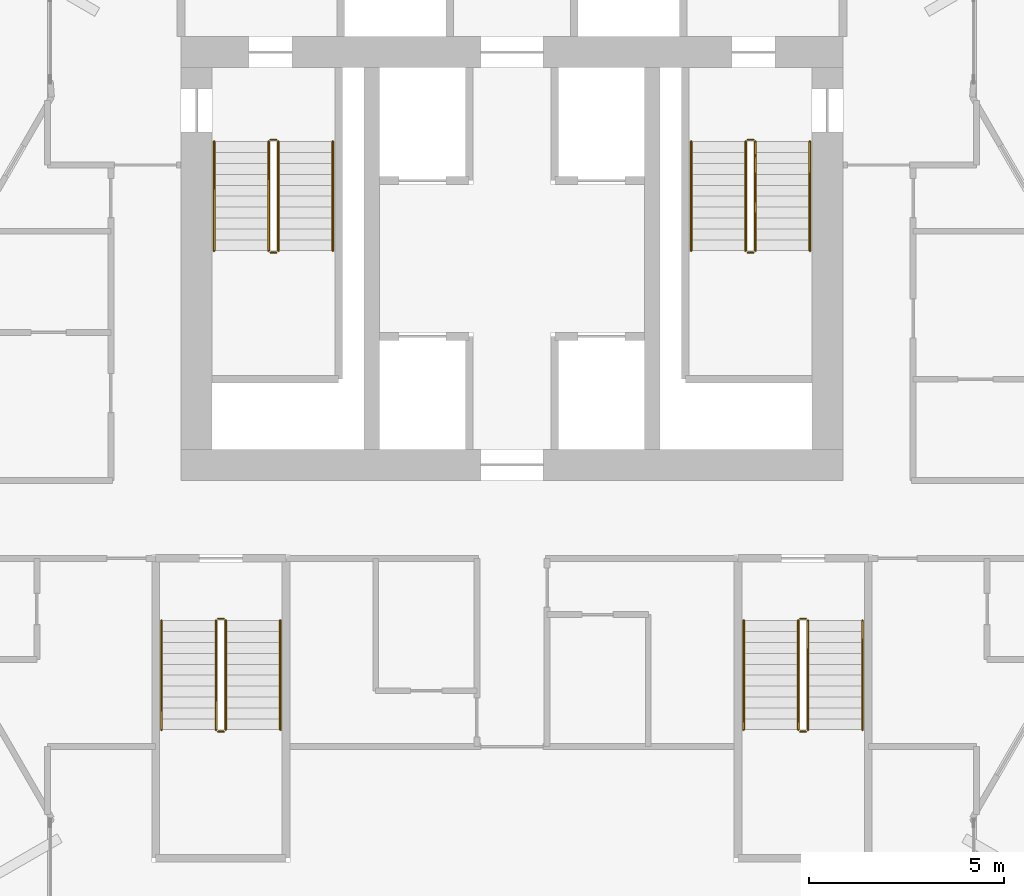
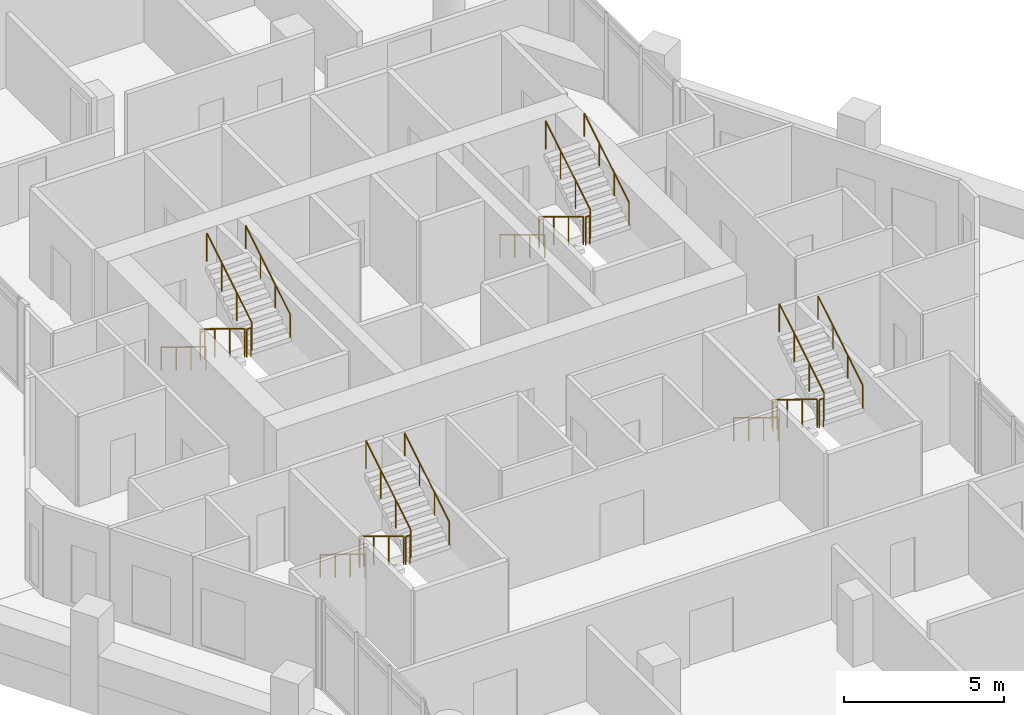
# One storey, part 29 of 29: 24 railings.
"""IFC4 building model written with IfcOpenShell, lengths in metres."""

from ifc_helpers import new_model, si_unit, direction, frame, origin, origin_2d, place, context, subcontext, project, spatial, circle, extrude, material, type_object, element, save


model = new_model("IFC4")

# Units and contexts
model_context = context("Model", 3, precision=1e-05, world=origin(), true_north=direction((0.0, 1.0)))
body_context = subcontext(model_context, "Body", "Model", "MODEL_VIEW")
ifc_project = project(units=[si_unit("LENGTHUNIT", "METRE"), si_unit("AREAUNIT", "SQUARE_METRE"), si_unit("VOLUMEUNIT", "CUBIC_METRE"), si_unit("PLANEANGLEUNIT", "RADIAN"), si_unit("MASSUNIT", "GRAM", prefix="KILO")], contexts=[model_context])

# Site, building, storey
site_placement = place(None, origin())
site = spatial("IfcSite", under=ifc_project, at=site_placement, CompositionType="ELEMENT")
building_placement = place(site_placement, origin())
building = spatial("IfcBuilding", under=site, at=building_placement, Name="Ostrander Bayou Hotel Tower", CompositionType="ELEMENT")
storey_placement = place(building_placement, frame((0.0, 0.0, 202.0)))
storey = spatial("IfcBuildingStorey", under=building, at=storey_placement, Name="L50", CompositionType="ELEMENT", Elevation=202.0)

# Railings
ifc_material_1 = material(Name="Steel ASTM A500 Gr C", Category="steel")
railing_type_1 = type_object("IfcRailingType", Name="GR1 stair guard 1100 mm steel", PredefinedType="GUARDRAIL", material=ifc_material_1)
railing_1_placement = place(storey_placement, frame((-6.25, 7.0, 0.17041015625)))
element("IfcRailing", 1, at=railing_1_placement, inside=storey, type_object=railing_type_1, Name="L50 STA stair guard 1", PredefinedType="GUARDRAIL", context=body_context, shape_type="SweptSolid", body=[
    extrude(circle(Radius=0.02392578125, at=origin_2d()), frame((0.0, 0.0, 1.076171875), z_axis=(0.0, -0.854169791009, 0.51999420009), x_axis=(1.0, 0.0, 0.0)), (0.0, 0.0, 1.0), 3.278076171875),
    extrude(circle(Radius=0.02099609375, at=origin_2d()), origin(), (0.0, 0.0, 1.0), 1.052001953125),
    extrude(circle(Radius=0.02099609375, at=origin_2d()), frame((0.0, -0.933349609375, 0.568115234375)), (0.0, 0.0, 1.0), 1.052001953125),
    extrude(circle(Radius=0.02099609375, at=origin_2d()), frame((0.0, -1.86669921875, 1.136474609375)), (0.0, 0.0, 1.0), 1.052001953125),
    extrude(circle(Radius=0.02099609375, at=origin_2d()), frame((0.0, -2.800048828125, 1.70458984375)), (0.0, 0.0, 1.0), 1.052001953125),
])
railing_2_placement = place(storey_placement, frame((-6.199951171875, 4.14990234375, 1.875)))
element("IfcRailing", 2, at=railing_2_placement, inside=storey, type_object=railing_type_1, Name="L50 STA stair guard 2", PredefinedType="GUARDRAIL", context=body_context, shape_type="SweptSolid", body=[
    extrude(circle(Radius=0.02392578125, at=origin_2d()), frame((0.0, 0.0, 1.076171875), z_axis=(1.0, 0.0, 0.0), x_axis=(0.0, 1.0, 0.0)), (0.0, 0.0, 1.0), 0.14990234375),
    extrude(circle(Radius=0.02099609375, at=origin_2d()), origin(), (0.0, 0.0, 1.0), 1.052001953125),
    extrude(circle(Radius=0.02099609375, at=origin_2d()), frame((0.14990234375, 0.0, 0.0)), (0.0, 0.0, 1.0), 1.052001953125),
])
railing_3_placement = place(storey_placement, frame((-6.0, 4.199951171875, 2.04541015625)))
element("IfcRailing", 3, at=railing_3_placement, inside=storey, type_object=railing_type_1, Name="L50 STA stair guard 3", PredefinedType="GUARDRAIL", context=body_context, shape_type="SweptSolid", body=[
    extrude(circle(Radius=0.02392578125, at=origin_2d()), frame((0.0, 0.0, 1.076171875), z_axis=(0.0, 0.854169791009, 0.51999420009), x_axis=(-1.0, 0.0, 0.0)), (0.0, 0.0, 1.0), 3.278076171875),
    extrude(circle(Radius=0.02099609375, at=origin_2d()), origin(), (0.0, 0.0, 1.0), 1.052001953125),
    extrude(circle(Radius=0.02099609375, at=origin_2d()), frame((0.0, 0.933349609375, 0.568115234375)), (0.0, 0.0, 1.0), 1.052001953125),
    extrude(circle(Radius=0.02099609375, at=origin_2d()), frame((0.0, 1.86669921875, 1.136474609375)), (0.0, 0.0, 1.0), 1.052001953125),
    extrude(circle(Radius=0.02099609375, at=origin_2d()), frame((0.0, 2.800048828125, 1.70458984375)), (0.0, 0.0, 1.0), 1.052001953125),
])
railing_4_placement = place(storey_placement, frame((-6.199951171875, 7.050048828125, 0.0)))
element("IfcRailing", 4, at=railing_4_placement, inside=storey, type_object=railing_type_1, Name="L50 STA stair guard 4", PredefinedType="GUARDRAIL", context=body_context, shape_type="SweptSolid", body=[
    extrude(circle(Radius=0.02392578125, at=origin_2d()), frame((0.0, 0.0, 1.076171875), z_axis=(1.0, 0.0, 0.0), x_axis=(0.0, 1.0, 0.0)), (0.0, 0.0, 1.0), 0.14990234375),
    extrude(circle(Radius=0.02099609375, at=origin_2d()), origin(), (0.0, 0.0, 1.0), 1.052001953125),
    extrude(circle(Radius=0.02099609375, at=origin_2d()), frame((0.14990234375, 0.0, 0.0)), (0.0, 0.0, 1.0), 1.052001953125),
])
railing_5_placement = place(storey_placement, frame((6.0, 7.0, 0.17041015625)))
element("IfcRailing", 5, at=railing_5_placement, inside=storey, type_object=railing_type_1, Name="L50 STB stair guard 1", PredefinedType="GUARDRAIL", context=body_context, shape_type="SweptSolid", body=[
    extrude(circle(Radius=0.02392578125, at=origin_2d()), frame((0.0, 0.0, 1.076171875), z_axis=(0.0, -0.854169791009, 0.51999420009), x_axis=(1.0, 0.0, 0.0)), (0.0, 0.0, 1.0), 3.278076171875),
    extrude(circle(Radius=0.02099609375, at=origin_2d()), origin(), (0.0, 0.0, 1.0), 1.052001953125),
    extrude(circle(Radius=0.02099609375, at=origin_2d()), frame((0.0, -0.933349609375, 0.568115234375)), (0.0, 0.0, 1.0), 1.052001953125),
    extrude(circle(Radius=0.02099609375, at=origin_2d()), frame((0.0, -1.86669921875, 1.136474609375)), (0.0, 0.0, 1.0), 1.052001953125),
    extrude(circle(Radius=0.02099609375, at=origin_2d()), frame((0.0, -2.800048828125, 1.70458984375)), (0.0, 0.0, 1.0), 1.052001953125),
])
railing_6_placement = place(storey_placement, frame((6.050048828125, 4.14990234375, 1.875)))
element("IfcRailing", 6, at=railing_6_placement, inside=storey, type_object=railing_type_1, Name="L50 STB stair guard 2", PredefinedType="GUARDRAIL", context=body_context, shape_type="SweptSolid", body=[
    extrude(circle(Radius=0.02392578125, at=origin_2d()), frame((0.0, 0.0, 1.076171875), z_axis=(1.0, 0.0, 0.0), x_axis=(0.0, 1.0, 0.0)), (0.0, 0.0, 1.0), 0.14990234375),
    extrude(circle(Radius=0.02099609375, at=origin_2d()), origin(), (0.0, 0.0, 1.0), 1.052001953125),
    extrude(circle(Radius=0.02099609375, at=origin_2d()), frame((0.14990234375, 0.0, 0.0)), (0.0, 0.0, 1.0), 1.052001953125),
])
railing_7_placement = place(storey_placement, frame((6.25, 4.199951171875, 2.04541015625)))
element("IfcRailing", 7, at=railing_7_placement, inside=storey, type_object=railing_type_1, Name="L50 STB stair guard 3", PredefinedType="GUARDRAIL", context=body_context, shape_type="SweptSolid", body=[
    extrude(circle(Radius=0.02392578125, at=origin_2d()), frame((0.0, 0.0, 1.076171875), z_axis=(0.0, 0.854169791009, 0.51999420009), x_axis=(-1.0, 0.0, 0.0)), (0.0, 0.0, 1.0), 3.278076171875),
    extrude(circle(Radius=0.02099609375, at=origin_2d()), origin(), (0.0, 0.0, 1.0), 1.052001953125),
    extrude(circle(Radius=0.02099609375, at=origin_2d()), frame((0.0, 0.933349609375, 0.568115234375)), (0.0, 0.0, 1.0), 1.052001953125),
    extrude(circle(Radius=0.02099609375, at=origin_2d()), frame((0.0, 1.86669921875, 1.136474609375)), (0.0, 0.0, 1.0), 1.052001953125),
    extrude(circle(Radius=0.02099609375, at=origin_2d()), frame((0.0, 2.800048828125, 1.70458984375)), (0.0, 0.0, 1.0), 1.052001953125),
])
railing_8_placement = place(storey_placement, frame((6.050048828125, 7.050048828125, 0.0)))
element("IfcRailing", 8, at=railing_8_placement, inside=storey, type_object=railing_type_1, Name="L50 STB stair guard 4", PredefinedType="GUARDRAIL", context=body_context, shape_type="SweptSolid", body=[
    extrude(circle(Radius=0.02392578125, at=origin_2d()), frame((0.0, 0.0, 1.076171875), z_axis=(1.0, 0.0, 0.0), x_axis=(0.0, 1.0, 0.0)), (0.0, 0.0, 1.0), 0.14990234375),
    extrude(circle(Radius=0.02099609375, at=origin_2d()), origin(), (0.0, 0.0, 1.0), 1.052001953125),
    extrude(circle(Radius=0.02099609375, at=origin_2d()), frame((0.14990234375, 0.0, 0.0)), (0.0, 0.0, 1.0), 1.052001953125),
])
railing_9_placement = place(storey_placement, frame((7.35009765625, -5.300048828125, 0.17041015625)))
element("IfcRailing", 9, at=railing_9_placement, inside=storey, type_object=railing_type_1, Name="L50 STC stair guard 1", PredefinedType="GUARDRAIL", context=body_context, shape_type="SweptSolid", body=[
    extrude(circle(Radius=0.02392578125, at=origin_2d()), frame((0.0, 0.0, 1.076171875), z_axis=(0.0, -0.854169791009, 0.51999420009), x_axis=(1.0, 0.0, 0.0)), (0.0, 0.0, 1.0), 3.278076171875),
    extrude(circle(Radius=0.02099609375, at=origin_2d()), origin(), (0.0, 0.0, 1.0), 1.052001953125),
    extrude(circle(Radius=0.02099609375, at=origin_2d()), frame((0.0, -0.933349609375, 0.568115234375)), (0.0, 0.0, 1.0), 1.052001953125),
    extrude(circle(Radius=0.02099609375, at=origin_2d()), frame((0.0, -1.86669921875, 1.136474609375)), (0.0, 0.0, 1.0), 1.052001953125),
    extrude(circle(Radius=0.02099609375, at=origin_2d()), frame((0.0, -2.800048828125, 1.70458984375)), (0.0, 0.0, 1.0), 1.052001953125),
])
railing_10_placement = place(storey_placement, frame((7.39990234375, -8.14990234375, 1.875)))
element("IfcRailing", 10, at=railing_10_placement, inside=storey, type_object=railing_type_1, Name="L50 STC stair guard 2", PredefinedType="GUARDRAIL", context=body_context, shape_type="SweptSolid", body=[
    extrude(circle(Radius=0.02392578125, at=origin_2d()), frame((0.0, 0.0, 1.076171875), z_axis=(1.0, 0.0, 0.0), x_axis=(0.0, 1.0, 0.0)), (0.0, 0.0, 1.0), 0.150146484375),
    extrude(circle(Radius=0.02099609375, at=origin_2d()), origin(), (0.0, 0.0, 1.0), 1.052001953125),
    extrude(circle(Radius=0.02099609375, at=origin_2d()), frame((0.150146484375, 0.0, 0.0)), (0.0, 0.0, 1.0), 1.052001953125),
])
railing_11_placement = place(storey_placement, frame((7.60009765625, -8.10009765625, 2.04541015625)))
element("IfcRailing", 11, at=railing_11_placement, inside=storey, type_object=railing_type_1, Name="L50 STC stair guard 3", PredefinedType="GUARDRAIL", context=body_context, shape_type="SweptSolid", body=[
    extrude(circle(Radius=0.02392578125, at=origin_2d()), frame((0.0, 0.0, 1.076171875), z_axis=(0.0, 0.854169791009, 0.51999420009), x_axis=(-1.0, 0.0, 0.0)), (0.0, 0.0, 1.0), 3.278076171875),
    extrude(circle(Radius=0.02099609375, at=origin_2d()), origin(), (0.0, 0.0, 1.0), 1.052001953125),
    extrude(circle(Radius=0.02099609375, at=origin_2d()), frame((0.0, 0.933349609375, 0.568115234375)), (0.0, 0.0, 1.0), 1.052001953125),
    extrude(circle(Radius=0.02099609375, at=origin_2d()), frame((0.0, 1.86669921875, 1.136474609375)), (0.0, 0.0, 1.0), 1.052001953125),
    extrude(circle(Radius=0.02099609375, at=origin_2d()), frame((0.0, 2.800048828125, 1.70458984375)), (0.0, 0.0, 1.0), 1.052001953125),
])
railing_12_placement = place(storey_placement, frame((7.39990234375, -5.25, 0.0)))
element("IfcRailing", 12, at=railing_12_placement, inside=storey, type_object=railing_type_1, Name="L50 STC stair guard 4", PredefinedType="GUARDRAIL", context=body_context, shape_type="SweptSolid", body=[
    extrude(circle(Radius=0.02392578125, at=origin_2d()), frame((0.0, 0.0, 1.076171875), z_axis=(1.0, 0.0, 0.0), x_axis=(0.0, 1.0, 0.0)), (0.0, 0.0, 1.0), 0.150146484375),
    extrude(circle(Radius=0.02099609375, at=origin_2d()), origin(), (0.0, 0.0, 1.0), 1.052001953125),
    extrude(circle(Radius=0.02099609375, at=origin_2d()), frame((0.150146484375, 0.0, 0.0)), (0.0, 0.0, 1.0), 1.052001953125),
])
railing_13_placement = place(storey_placement, frame((-7.60009765625, -5.300048828125, 0.17041015625)))
element("IfcRailing", 13, at=railing_13_placement, inside=storey, type_object=railing_type_1, Name="L50 STD stair guard 1", PredefinedType="GUARDRAIL", context=body_context, shape_type="SweptSolid", body=[
    extrude(circle(Radius=0.02392578125, at=origin_2d()), frame((0.0, 0.0, 1.076171875), z_axis=(0.0, -0.854169791009, 0.51999420009), x_axis=(1.0, 0.0, 0.0)), (0.0, 0.0, 1.0), 3.278076171875),
    extrude(circle(Radius=0.02099609375, at=origin_2d()), origin(), (0.0, 0.0, 1.0), 1.052001953125),
    extrude(circle(Radius=0.02099609375, at=origin_2d()), frame((0.0, -0.933349609375, 0.568115234375)), (0.0, 0.0, 1.0), 1.052001953125),
    extrude(circle(Radius=0.02099609375, at=origin_2d()), frame((0.0, -1.86669921875, 1.136474609375)), (0.0, 0.0, 1.0), 1.052001953125),
    extrude(circle(Radius=0.02099609375, at=origin_2d()), frame((0.0, -2.800048828125, 1.70458984375)), (0.0, 0.0, 1.0), 1.052001953125),
])
railing_14_placement = place(storey_placement, frame((-7.550048828125, -8.14990234375, 1.875)))
element("IfcRailing", 14, at=railing_14_placement, inside=storey, type_object=railing_type_1, Name="L50 STD stair guard 2", PredefinedType="GUARDRAIL", context=body_context, shape_type="SweptSolid", body=[
    extrude(circle(Radius=0.02392578125, at=origin_2d()), frame((0.0, 0.0, 1.076171875), z_axis=(1.0, 0.0, 0.0), x_axis=(0.0, 1.0, 0.0)), (0.0, 0.0, 1.0), 0.150146484375),
    extrude(circle(Radius=0.02099609375, at=origin_2d()), origin(), (0.0, 0.0, 1.0), 1.052001953125),
    extrude(circle(Radius=0.02099609375, at=origin_2d()), frame((0.150146484375, 0.0, 0.0)), (0.0, 0.0, 1.0), 1.052001953125),
])
railing_15_placement = place(storey_placement, frame((-7.35009765625, -8.10009765625, 2.04541015625)))
element("IfcRailing", 15, at=railing_15_placement, inside=storey, type_object=railing_type_1, Name="L50 STD stair guard 3", PredefinedType="GUARDRAIL", context=body_context, shape_type="SweptSolid", body=[
    extrude(circle(Radius=0.02392578125, at=origin_2d()), frame((0.0, 0.0, 1.076171875), z_axis=(0.0, 0.854169791009, 0.51999420009), x_axis=(-1.0, 0.0, 0.0)), (0.0, 0.0, 1.0), 3.278076171875),
    extrude(circle(Radius=0.02099609375, at=origin_2d()), origin(), (0.0, 0.0, 1.0), 1.052001953125),
    extrude(circle(Radius=0.02099609375, at=origin_2d()), frame((0.0, 0.933349609375, 0.568115234375)), (0.0, 0.0, 1.0), 1.052001953125),
    extrude(circle(Radius=0.02099609375, at=origin_2d()), frame((0.0, 1.86669921875, 1.136474609375)), (0.0, 0.0, 1.0), 1.052001953125),
    extrude(circle(Radius=0.02099609375, at=origin_2d()), frame((0.0, 2.800048828125, 1.70458984375)), (0.0, 0.0, 1.0), 1.052001953125),
])
railing_16_placement = place(storey_placement, frame((-7.550048828125, -5.25, 0.0)))
element("IfcRailing", 16, at=railing_16_placement, inside=storey, type_object=railing_type_1, Name="L50 STD stair guard 4", PredefinedType="GUARDRAIL", context=body_context, shape_type="SweptSolid", body=[
    extrude(circle(Radius=0.02392578125, at=origin_2d()), frame((0.0, 0.0, 1.076171875), z_axis=(1.0, 0.0, 0.0), x_axis=(0.0, 1.0, 0.0)), (0.0, 0.0, 1.0), 0.150146484375),
    extrude(circle(Radius=0.02099609375, at=origin_2d()), origin(), (0.0, 0.0, 1.0), 1.052001953125),
    extrude(circle(Radius=0.02099609375, at=origin_2d()), frame((0.150146484375, 0.0, 0.0)), (0.0, 0.0, 1.0), 1.052001953125),
])
ifc_material_2 = material(Name="Steel ASTM A500 Gr C", Category="steel")
railing_type_2 = type_object("IfcRailingType", Name="HR1 stair handrail 900 mm steel", PredefinedType="HANDRAIL", material=ifc_material_2)
railing_17_placement = place(storey_placement, frame((-7.64990234375, 7.0, 0.17041015625)))
element("IfcRailing", 17, at=railing_17_placement, inside=storey, type_object=railing_type_2, Name="L50 STA stair handrail 1", PredefinedType="HANDRAIL", context=body_context, shape_type="SweptSolid", body=[
    extrude(circle(Radius=0.02392578125, at=origin_2d()), frame((0.0, 0.0, 0.8759765625), z_axis=(0.0, -0.854169791009, 0.51999420009), x_axis=(1.0, 0.0, 0.0)), (0.0, 0.0, 1.0), 3.278076171875),
    extrude(circle(Radius=0.02099609375, at=origin_2d()), origin(), (0.0, 0.0, 1.0), 0.851806640625),
    extrude(circle(Radius=0.02099609375, at=origin_2d()), frame((0.0, -0.933349609375, 0.568115234375)), (0.0, 0.0, 1.0), 0.851806640625),
    extrude(circle(Radius=0.02099609375, at=origin_2d()), frame((0.0, -1.86669921875, 1.136474609375)), (0.0, 0.0, 1.0), 0.851806640625),
    extrude(circle(Radius=0.02099609375, at=origin_2d()), frame((0.0, -2.800048828125, 1.70458984375)), (0.0, 0.0, 1.0), 0.851806640625),
])
railing_18_placement = place(storey_placement, frame((-4.60009765625, 4.199951171875, 2.04541015625)))
element("IfcRailing", 18, at=railing_18_placement, inside=storey, type_object=railing_type_2, Name="L50 STA stair handrail 2", PredefinedType="HANDRAIL", context=body_context, shape_type="SweptSolid", body=[
    extrude(circle(Radius=0.02392578125, at=origin_2d()), frame((0.0, 0.0, 0.8759765625), z_axis=(0.0, 0.854169791009, 0.51999420009), x_axis=(-1.0, 0.0, 0.0)), (0.0, 0.0, 1.0), 3.278076171875),
    extrude(circle(Radius=0.02099609375, at=origin_2d()), origin(), (0.0, 0.0, 1.0), 0.851806640625),
    extrude(circle(Radius=0.02099609375, at=origin_2d()), frame((0.0, 0.933349609375, 0.568115234375)), (0.0, 0.0, 1.0), 0.851806640625),
    extrude(circle(Radius=0.02099609375, at=origin_2d()), frame((0.0, 1.86669921875, 1.136474609375)), (0.0, 0.0, 1.0), 0.851806640625),
    extrude(circle(Radius=0.02099609375, at=origin_2d()), frame((0.0, 2.800048828125, 1.70458984375)), (0.0, 0.0, 1.0), 0.851806640625),
])
railing_19_placement = place(storey_placement, frame((4.60009765625, 7.0, 0.17041015625)))
element("IfcRailing", 19, at=railing_19_placement, inside=storey, type_object=railing_type_2, Name="L50 STB stair handrail 1", PredefinedType="HANDRAIL", context=body_context, shape_type="SweptSolid", body=[
    extrude(circle(Radius=0.02392578125, at=origin_2d()), frame((0.0, 0.0, 0.8759765625), z_axis=(0.0, -0.854169791009, 0.51999420009), x_axis=(1.0, 0.0, 0.0)), (0.0, 0.0, 1.0), 3.278076171875),
    extrude(circle(Radius=0.02099609375, at=origin_2d()), origin(), (0.0, 0.0, 1.0), 0.851806640625),
    extrude(circle(Radius=0.02099609375, at=origin_2d()), frame((0.0, -0.933349609375, 0.568115234375)), (0.0, 0.0, 1.0), 0.851806640625),
    extrude(circle(Radius=0.02099609375, at=origin_2d()), frame((0.0, -1.86669921875, 1.136474609375)), (0.0, 0.0, 1.0), 0.851806640625),
    extrude(circle(Radius=0.02099609375, at=origin_2d()), frame((0.0, -2.800048828125, 1.70458984375)), (0.0, 0.0, 1.0), 0.851806640625),
])
railing_20_placement = place(storey_placement, frame((7.64990234375, 4.199951171875, 2.04541015625)))
element("IfcRailing", 20, at=railing_20_placement, inside=storey, type_object=railing_type_2, Name="L50 STB stair handrail 2", PredefinedType="HANDRAIL", context=body_context, shape_type="SweptSolid", body=[
    extrude(circle(Radius=0.02392578125, at=origin_2d()), frame((0.0, 0.0, 0.8759765625), z_axis=(0.0, 0.854169791009, 0.51999420009), x_axis=(-1.0, 0.0, 0.0)), (0.0, 0.0, 1.0), 3.278076171875),
    extrude(circle(Radius=0.02099609375, at=origin_2d()), origin(), (0.0, 0.0, 1.0), 0.851806640625),
    extrude(circle(Radius=0.02099609375, at=origin_2d()), frame((0.0, 0.933349609375, 0.568115234375)), (0.0, 0.0, 1.0), 0.851806640625),
    extrude(circle(Radius=0.02099609375, at=origin_2d()), frame((0.0, 1.86669921875, 1.136474609375)), (0.0, 0.0, 1.0), 0.851806640625),
    extrude(circle(Radius=0.02099609375, at=origin_2d()), frame((0.0, 2.800048828125, 1.70458984375)), (0.0, 0.0, 1.0), 0.851806640625),
])
railing_21_placement = place(storey_placement, frame((5.949951171875, -5.300048828125, 0.17041015625)))
element("IfcRailing", 21, at=railing_21_placement, inside=storey, type_object=railing_type_2, Name="L50 STC stair handrail 1", PredefinedType="HANDRAIL", context=body_context, shape_type="SweptSolid", body=[
    extrude(circle(Radius=0.02392578125, at=origin_2d()), frame((0.0, 0.0, 0.8759765625), z_axis=(0.0, -0.854169791009, 0.51999420009), x_axis=(1.0, 0.0, 0.0)), (0.0, 0.0, 1.0), 3.278076171875),
    extrude(circle(Radius=0.02099609375, at=origin_2d()), origin(), (0.0, 0.0, 1.0), 0.851806640625),
    extrude(circle(Radius=0.02099609375, at=origin_2d()), frame((0.0, -0.933349609375, 0.568115234375)), (0.0, 0.0, 1.0), 0.851806640625),
    extrude(circle(Radius=0.02099609375, at=origin_2d()), frame((0.0, -1.86669921875, 1.136474609375)), (0.0, 0.0, 1.0), 0.851806640625),
    extrude(circle(Radius=0.02099609375, at=origin_2d()), frame((0.0, -2.800048828125, 1.70458984375)), (0.0, 0.0, 1.0), 0.851806640625),
])
railing_22_placement = place(storey_placement, frame((9.0, -8.10009765625, 2.04541015625)))
element("IfcRailing", 22, at=railing_22_placement, inside=storey, type_object=railing_type_2, Name="L50 STC stair handrail 2", PredefinedType="HANDRAIL", context=body_context, shape_type="SweptSolid", body=[
    extrude(circle(Radius=0.02392578125, at=origin_2d()), frame((0.0, 0.0, 0.8759765625), z_axis=(0.0, 0.854169791009, 0.51999420009), x_axis=(-1.0, 0.0, 0.0)), (0.0, 0.0, 1.0), 3.278076171875),
    extrude(circle(Radius=0.02099609375, at=origin_2d()), origin(), (0.0, 0.0, 1.0), 0.851806640625),
    extrude(circle(Radius=0.02099609375, at=origin_2d()), frame((0.0, 0.933349609375, 0.568115234375)), (0.0, 0.0, 1.0), 0.851806640625),
    extrude(circle(Radius=0.02099609375, at=origin_2d()), frame((0.0, 1.86669921875, 1.136474609375)), (0.0, 0.0, 1.0), 0.851806640625),
    extrude(circle(Radius=0.02099609375, at=origin_2d()), frame((0.0, 2.800048828125, 1.70458984375)), (0.0, 0.0, 1.0), 0.851806640625),
])
railing_23_placement = place(storey_placement, frame((-9.0, -5.300048828125, 0.17041015625)))
element("IfcRailing", 23, at=railing_23_placement, inside=storey, type_object=railing_type_2, Name="L50 STD stair handrail 1", PredefinedType="HANDRAIL", context=body_context, shape_type="SweptSolid", body=[
    extrude(circle(Radius=0.02392578125, at=origin_2d()), frame((0.0, 0.0, 0.8759765625), z_axis=(0.0, -0.854169791009, 0.51999420009), x_axis=(1.0, 0.0, 0.0)), (0.0, 0.0, 1.0), 3.278076171875),
    extrude(circle(Radius=0.02099609375, at=origin_2d()), origin(), (0.0, 0.0, 1.0), 0.851806640625),
    extrude(circle(Radius=0.02099609375, at=origin_2d()), frame((0.0, -0.933349609375, 0.568115234375)), (0.0, 0.0, 1.0), 0.851806640625),
    extrude(circle(Radius=0.02099609375, at=origin_2d()), frame((0.0, -1.86669921875, 1.136474609375)), (0.0, 0.0, 1.0), 0.851806640625),
    extrude(circle(Radius=0.02099609375, at=origin_2d()), frame((0.0, -2.800048828125, 1.70458984375)), (0.0, 0.0, 1.0), 0.851806640625),
])
railing_24_placement = place(storey_placement, frame((-5.949951171875, -8.10009765625, 2.04541015625)))
element("IfcRailing", 24, at=railing_24_placement, inside=storey, type_object=railing_type_2, Name="L50 STD stair handrail 2", PredefinedType="HANDRAIL", context=body_context, shape_type="SweptSolid", body=[
    extrude(circle(Radius=0.02392578125, at=origin_2d()), frame((0.0, 0.0, 0.8759765625), z_axis=(0.0, 0.854169791009, 0.51999420009), x_axis=(-1.0, 0.0, 0.0)), (0.0, 0.0, 1.0), 3.278076171875),
    extrude(circle(Radius=0.02099609375, at=origin_2d()), origin(), (0.0, 0.0, 1.0), 0.851806640625),
    extrude(circle(Radius=0.02099609375, at=origin_2d()), frame((0.0, 0.933349609375, 0.568115234375)), (0.0, 0.0, 1.0), 0.851806640625),
    extrude(circle(Radius=0.02099609375, at=origin_2d()), frame((0.0, 1.86669921875, 1.136474609375)), (0.0, 0.0, 1.0), 0.851806640625),
    extrude(circle(Radius=0.02099609375, at=origin_2d()), frame((0.0, 2.800048828125, 1.70458984375)), (0.0, 0.0, 1.0), 0.851806640625),
])

save(model, "model.ifc")
